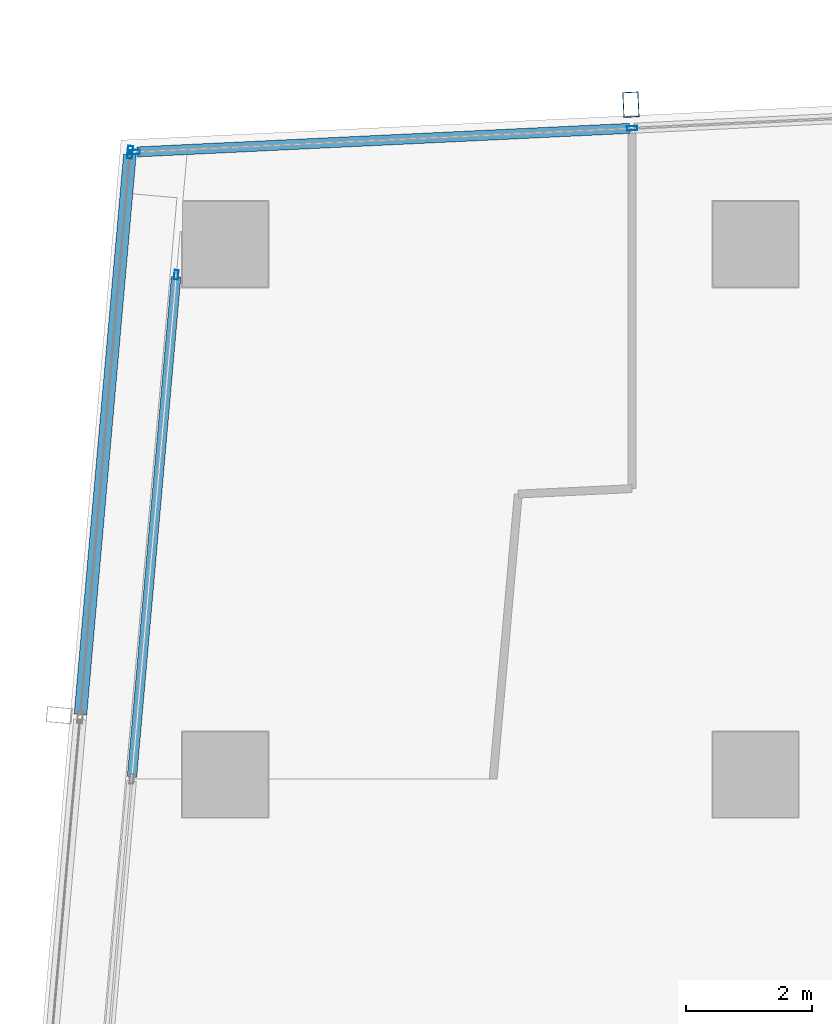
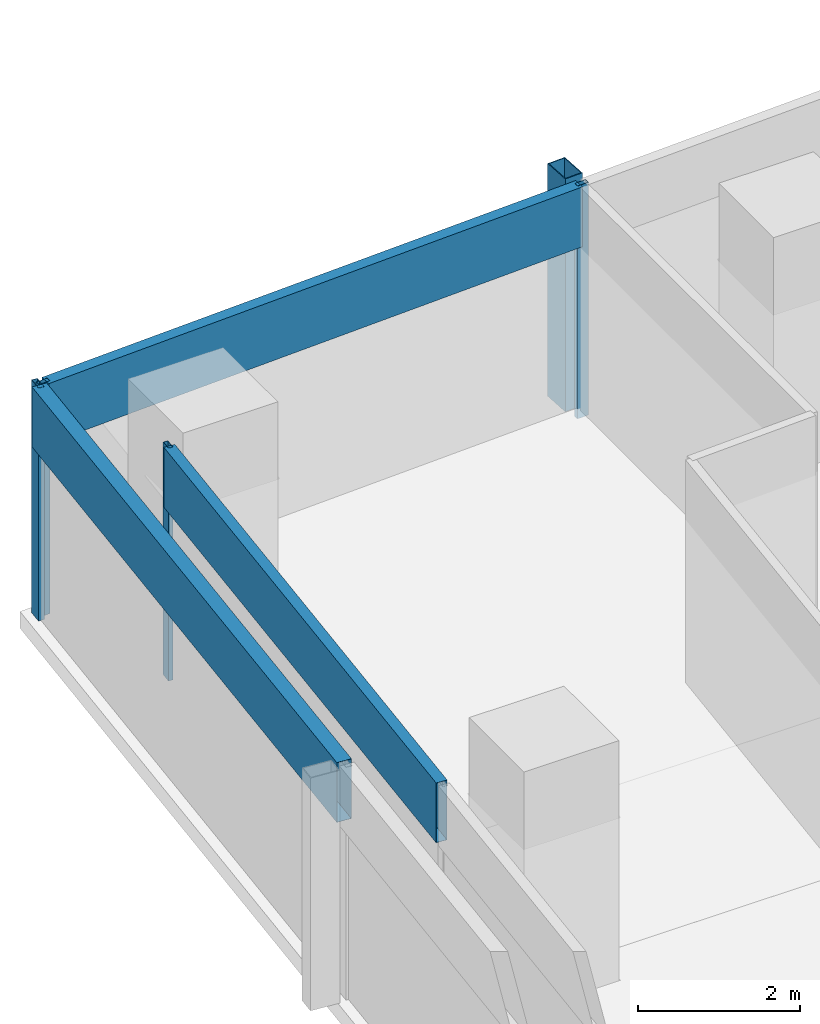
# One storey, part 17 of 40: 8 members, 3 elements without a shape of their own.
"""IFC4 building model written with IfcOpenShell, lengths in metres."""

from ifc_helpers import new_model, si_unit, direction, frame, origin, origin_2d, place, context, subcontext, project, spatial, hollow_rectangle, extrude, material, material_profile, profile_set, type_object, element, aggregate, save


model = new_model("IFC4")

# Units and contexts
model_context = context("Model", 3, precision=1e-05, world=origin(), true_north=direction((0.0, 1.0)))
body_context = subcontext(model_context, "Body", "Model", "MODEL_VIEW")
ifc_project = project(units=[si_unit("LENGTHUNIT", "METRE"), si_unit("AREAUNIT", "SQUARE_METRE"), si_unit("VOLUMEUNIT", "CUBIC_METRE"), si_unit("PLANEANGLEUNIT", "RADIAN"), si_unit("MASSUNIT", "GRAM", prefix="KILO")], contexts=[model_context])

# Site, building, storey
site_placement = place(None, origin())
site = spatial("IfcSite", under=ifc_project, at=site_placement, CompositionType="ELEMENT")
building_placement = place(site_placement, origin())
building = spatial("IfcBuilding", under=site, at=building_placement, Name="Rekha Terrace Tower", CompositionType="ELEMENT")
storey_placement = place(building_placement, frame((0.0, 0.0, 213.949951171875)))
storey = spatial("IfcBuildingStorey", under=building, at=storey_placement, Name="L54", CompositionType="ELEMENT", Elevation=213.949951171875)

# Curtain wall, member
ifc_material_1 = material(Name="Aluminium framing", Category="aluminium")
curtain_wall_type_1 = type_object("IfcCurtainWallType", Name="CW3 north unitised glazing", PredefinedType="USERDEFINED", material=ifc_material_1)
curtain_wall_1_placement = place(storey_placement, origin())
curtain_wall_1 = element("IfcCurtainWall", 1, at=curtain_wall_1_placement, inside=storey, type_object=curtain_wall_type_1, Name="CW3 unitised curtain wall", ObjectType="UNITISED CURTAIN WALL", PredefinedType="USERDEFINED")
ifc_material_2 = material(Name="Steel S355 with fluorocarbon finish", Category="steel")
ifc_material_profile_1 = material_profile(ifc_material_2, hollow_rectangle(XDim=0.25, YDim=0.39990234375, WallThickness=0.012451171875, at=origin_2d()), Name="RHS400x250x12.5")
ifc_profile_set_1 = profile_set([ifc_material_profile_1], Name="Steel S355 with fluorocarbon finish")
member_type_1 = type_object("IfcMemberType", Name="BL1 facade blade RHS 400 x 250", PredefinedType="USERDEFINED", material=ifc_profile_set_1)
member_1_placement = place(storey_placement, frame((14.824951171875, 61.01123046875, 0.0), z_axis=(0.0, 0.0, 1.0), x_axis=(-0.998858913274, -0.04775846913, 0.0)))
member_1 = element("IfcMember", 2, at=member_1_placement, type_object=member_type_1, Name="Facade blade", ObjectType="FACADE BLADE", PredefinedType="USERDEFINED", context=body_context, shape_type="SweptSolid", body=[
    extrude(hollow_rectangle(XDim=0.25, YDim=0.39990234375, WallThickness=0.012451171875, at=origin_2d()), origin(), (0.0, 0.0, 1.0), 3.5),
])

# Curtain wall, members
curtain_wall_type_2 = type_object("IfcCurtainWallType", Name="CW1 double skin inner glazing", PredefinedType="USERDEFINED", material=ifc_material_1)
curtain_wall_2_placement = place(storey_placement, origin())
curtain_wall_2 = element("IfcCurtainWall", 3, at=curtain_wall_2_placement, inside=storey, type_object=curtain_wall_type_2, Name="CW1 double skin inner glazing", ObjectType="DOUBLE SKIN INNER GLAZING", PredefinedType="USERDEFINED")
ifc_material_3 = material(Name="Aluminium mullion section", Category="aluminium")
ifc_material_profile_2 = material_profile(ifc_material_3, hollow_rectangle(XDim=0.06494140625, YDim=0.14990234375, WallThickness=0.00390625, at=origin_2d()), Name="AL RHS 65x150")
ifc_profile_set_2 = profile_set([ifc_material_profile_2], Name="Aluminium mullion section")
member_type_2 = type_object("IfcMemberType", Name="CW1 mullion RHS 65 x 150", PredefinedType="MULLION", material=ifc_profile_set_2)
member_2_placement = place(storey_placement, frame((7.625732421875, 58.316650390625, 0.0), z_axis=(0.0, 0.0, 1.0), x_axis=(0.996124185422, -0.087957985523, 0.0)))
member_2 = element("IfcMember", 4, at=member_2_placement, type_object=member_type_2, Name="CW1 mullion 1", PredefinedType="MULLION", context=body_context, shape_type="SweptSolid", body=[
    extrude(hollow_rectangle(XDim=0.06494140625, YDim=0.14990234375, WallThickness=0.00390625, at=origin_2d()), origin(), (0.0, 0.0, 1.0), 3.5),
])
ifc_material_4 = material(Name="Insulated aluminium spandrel box", Category="aluminium")
ifc_material_profile_3 = material_profile(ifc_material_4, hollow_rectangle(XDim=0.14990234375, YDim=0.89990234375, WallThickness=0.0029296875, at=origin_2d()), Name="AL SPANDREL BOX 150x900")
ifc_profile_set_3 = profile_set([ifc_material_profile_3], Name="Insulated aluminium spandrel box")
member_type_3 = type_object("IfcMemberType", Name="CW1 spandrel transom 150 x 900", PredefinedType="USERDEFINED", material=ifc_profile_set_3)
member_3_placement = place(storey_placement, frame((7.622802734375, 58.2841796875, 3.050048828125), z_axis=(-0.087941305291, -0.996125658149, 0.0), x_axis=(0.996125658149, -0.087941305291, 0.0)))
member_3 = element("IfcMember", 5, at=member_3_placement, type_object=member_type_3, Name="CW1 spandrel transom 1", ObjectType="TRANSOM", PredefinedType="USERDEFINED", context=body_context, shape_type="SweptSolid", body=[
    extrude(hollow_rectangle(XDim=0.14990234375, YDim=0.89990234375, WallThickness=0.0029296875, at=origin_2d()), origin(), (0.0, 0.0, 1.0), 7.950927734375),
])
aggregate(curtain_wall_2, [member_2, member_3])

curtain_wall_type_3 = type_object("IfcCurtainWallType", Name="CW2 double skin outer glazing", PredefinedType="USERDEFINED", material=ifc_material_1)
curtain_wall_3_placement = place(storey_placement, origin())
curtain_wall_3 = element("IfcCurtainWall", 6, at=curtain_wall_3_placement, inside=storey, type_object=curtain_wall_type_3, Name="CW2 double skin outer glazing", ObjectType="DOUBLE SKIN OUTER GLAZING", PredefinedType="USERDEFINED")
ifc_material_profile_4 = material_profile(ifc_material_3, hollow_rectangle(XDim=0.080078125, YDim=0.199951171875, WallThickness=0.00390625, at=origin_2d()), Name="AL RHS 80x200")
ifc_profile_set_4 = profile_set([ifc_material_profile_4], Name="Aluminium mullion section")
member_type_4 = type_object("IfcMemberType", Name="CW2 mullion RHS 80 x 200", PredefinedType="MULLION", material=ifc_profile_set_4)
member_4_placement = place(storey_placement, frame((6.8935546875, 60.257080078125, 0.0), z_axis=(0.0, 0.0, 1.0), x_axis=(0.996124185428, -0.087957985453, 0.0)))
member_4 = element("IfcMember", 7, at=member_4_placement, type_object=member_type_4, Name="CW2 mullion 1", PredefinedType="MULLION", context=body_context, shape_type="SweptSolid", body=[
    extrude(hollow_rectangle(XDim=0.080078125, YDim=0.199951171875, WallThickness=0.00390625, at=origin_2d()), origin(), (0.0, 0.0, 1.0), 3.5),
])
ifc_material_profile_5 = material_profile(ifc_material_4, hollow_rectangle(XDim=0.199951171875, YDim=0.89990234375, WallThickness=0.0029296875, at=origin_2d()), Name="AL SPANDREL BOX 200x900")
ifc_profile_set_5 = profile_set([ifc_material_profile_5], Name="Insulated aluminium spandrel box")
member_type_5 = type_object("IfcMemberType", Name="CW2 spandrel transom 200 x 900", PredefinedType="USERDEFINED", material=ifc_profile_set_5)
member_5_placement = place(storey_placement, frame((6.89013671875, 60.217041015625, 3.050048828125), z_axis=(-0.08797787529, -0.996122428951, 0.0), x_axis=(0.996122428951, -0.08797787529, 0.0)))
member_5 = element("IfcMember", 8, at=member_5_placement, type_object=member_type_5, Name="CW2 spandrel transom 1", ObjectType="TRANSOM", PredefinedType="USERDEFINED", context=body_context, shape_type="SweptSolid", body=[
    extrude(hollow_rectangle(XDim=0.199951171875, YDim=0.89990234375, WallThickness=0.0029296875, at=origin_2d()), origin(), (0.0, 0.0, 1.0), 8.8994140625),
])
aggregate(curtain_wall_3, [member_4, member_5])

# Member
ifc_material_profile_6 = material_profile(ifc_material_3, hollow_rectangle(XDim=0.070068359375, YDim=0.159912109375, WallThickness=0.00390625, at=origin_2d()), Name="AL RHS 70x160")
ifc_profile_set_6 = profile_set([ifc_material_profile_6], Name="Aluminium mullion section")
member_type_6 = type_object("IfcMemberType", Name="CW3 mullion RHS 70 x 160", PredefinedType="MULLION", material=ifc_profile_set_6)
member_6_placement = place(storey_placement, frame((14.843017578125, 60.63671875, 0.0), z_axis=(0.0, 0.0, 1.0), x_axis=(0.047758616983, -0.998858906204, 0.0)))
member_6 = element("IfcMember", 9, at=member_6_placement, type_object=member_type_6, Name="CW3 mullion 5", PredefinedType="MULLION", context=body_context, shape_type="SweptSolid", body=[
    extrude(hollow_rectangle(XDim=0.070068359375, YDim=0.159912109375, WallThickness=0.00390625, at=origin_2d()), origin(), (0.0, 0.0, 1.0), 3.5),
])

member_7_placement = place(storey_placement, frame((6.96875, 60.26025390625, 0.0), z_axis=(0.0, 0.0, 1.0), x_axis=(0.047758616983, -0.998858906204, 0.0)))
member_7 = element("IfcMember", 10, at=member_7_placement, type_object=member_type_6, Name="CW3 mullion 6", PredefinedType="MULLION", context=body_context, shape_type="SweptSolid", body=[
    extrude(hollow_rectangle(XDim=0.070068359375, YDim=0.159912109375, WallThickness=0.00390625, at=origin_2d()), origin(), (0.0, 0.0, 1.0), 3.5),
])

ifc_material_profile_7 = material_profile(ifc_material_4, hollow_rectangle(XDim=0.159912109375, YDim=0.89990234375, WallThickness=0.0029296875, at=origin_2d()), Name="AL SPANDREL BOX 160x900")
ifc_profile_set_7 = profile_set([ifc_material_profile_7], Name="Insulated aluminium spandrel box")
member_type_7 = type_object("IfcMemberType", Name="CW3 spandrel transom 160 x 900", PredefinedType="USERDEFINED", material=ifc_profile_set_7)
member_8_placement = place(storey_placement, frame((14.807861328125, 60.635009765625, 3.050048828125), z_axis=(-0.998859425172, -0.047747761666, 0.0), x_axis=(0.047747761666, -0.998859425172, 0.0)))
member_8 = element("IfcMember", 11, at=member_8_placement, type_object=member_type_7, Name="CW3 spandrel transom 5", ObjectType="TRANSOM", PredefinedType="USERDEFINED", context=body_context, shape_type="SweptSolid", body=[
    extrude(hollow_rectangle(XDim=0.159912109375, YDim=0.89990234375, WallThickness=0.0029296875, at=origin_2d()), origin(), (0.0, 0.0, 1.0), 7.81298828125),
])

aggregate(curtain_wall_1, [member_6, member_7, member_8, member_1])

save(model, "model.ifc")
